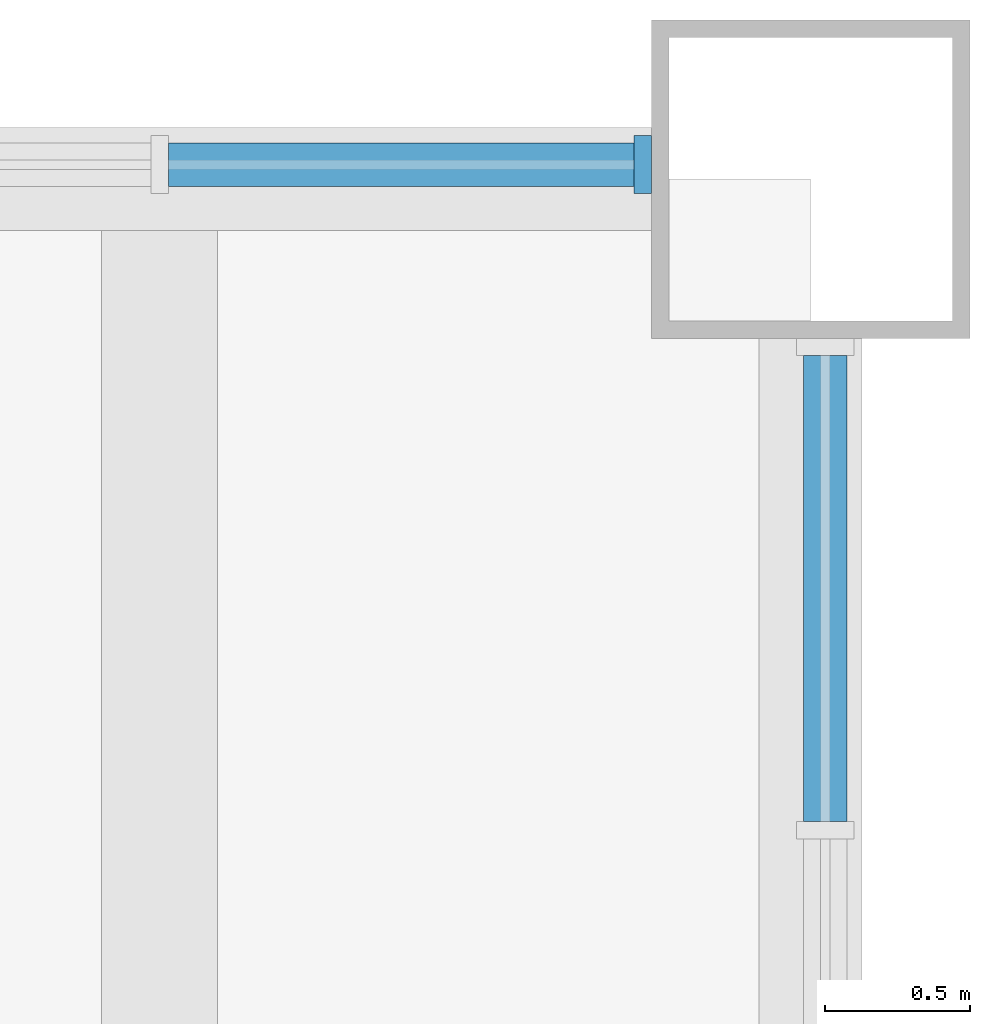
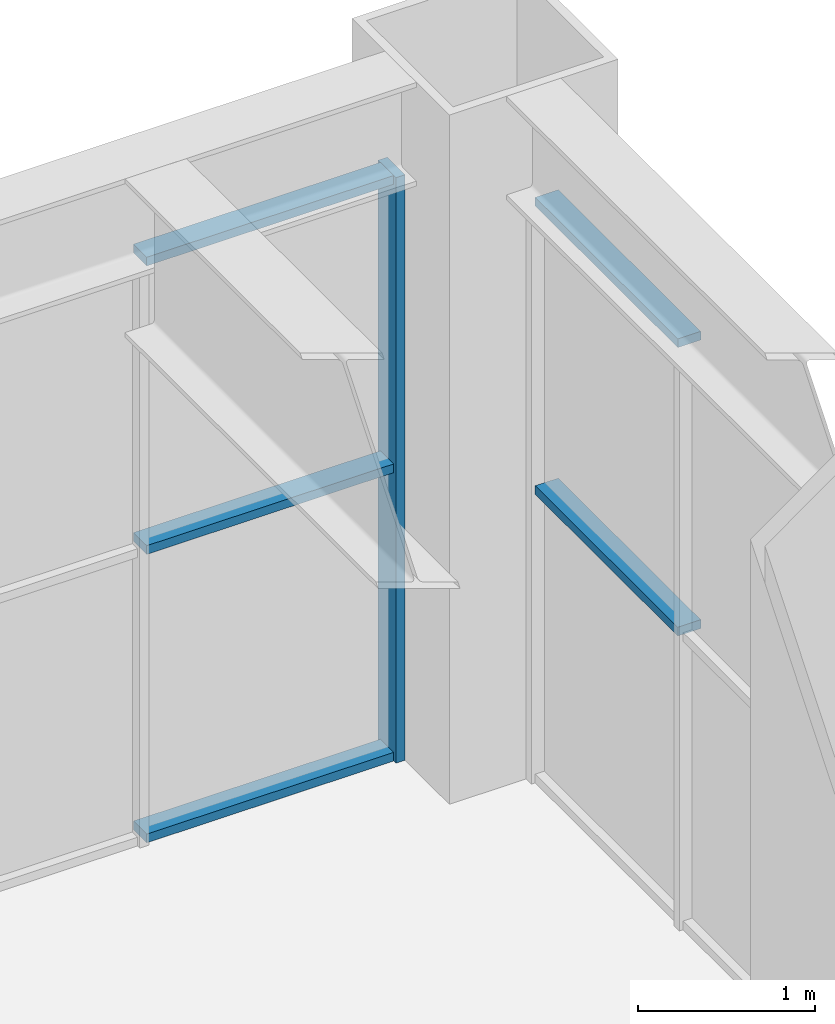
# One storey, part 6 of 19: 6 members, 2 elements without a shape of their own.
"""IFC4 building model written with IfcOpenShell, lengths in metres."""

from ifc_helpers import new_model, si_unit, direction, frame, origin, origin_2d, place, context, subcontext, project, spatial, rectangle, extrude, material, material_profile, profile_set, type_object, element, aggregate, save


model = new_model("IFC4")

# Units and contexts
model_context = context("Model", 3, precision=1e-05, world=origin(), true_north=direction((0.0, 1.0)))
body_context = subcontext(model_context, "Body", "Model", "MODEL_VIEW")
ifc_project = project(units=[si_unit("LENGTHUNIT", "METRE"), si_unit("AREAUNIT", "SQUARE_METRE"), si_unit("VOLUMEUNIT", "CUBIC_METRE"), si_unit("PLANEANGLEUNIT", "RADIAN"), si_unit("MASSUNIT", "GRAM", prefix="KILO")], contexts=[model_context])

# Site, building, storey
site_placement = place(None, origin())
site = spatial("IfcSite", under=ifc_project, at=site_placement, CompositionType="ELEMENT")
building_placement = place(site_placement, origin())
building = spatial("IfcBuilding", under=site, at=building_placement, Name="Sennacour Bend Tower", CompositionType="ELEMENT")
storey_placement = place(building_placement, frame((0.0, 0.0, 19.0)))
storey = spatial("IfcBuildingStorey", under=building, at=storey_placement, Name="L03", CompositionType="ELEMENT", Elevation=19.0)

# Curtain wall, member
ifc_material_1 = material(Name="Bronze anodised aluminium curtain wall with clear glass", Category="aluminium")
curtain_wall_type = type_object("IfcCurtainWallType", Name="CURTAIN WALL NOTCH", PredefinedType="NOTDEFINED", material=ifc_material_1)
curtain_wall_1_placement = place(storey_placement, origin())
curtain_wall_1 = element("IfcCurtainWall", 1, at=curtain_wall_1_placement, inside=storey, type_object=curtain_wall_type, Name="Podium glass wall L03", PredefinedType="NOTDEFINED")
ifc_material_2 = material(Name="Aluminium 6063-T6", Category="aluminium")
ifc_material_profile_1 = material_profile(ifc_material_2, rectangle(XDim=0.199951171875, YDim=0.06005859375, at=origin_2d()), Name="Aluminium 6063-T6", Category="aluminium")
ifc_profile_set_1 = profile_set([ifc_material_profile_1], Name="Aluminium 6063-T6")
member_type_1 = type_object("IfcMemberType", Name="CW-MULLION-200X60", PredefinedType="MULLION", material=ifc_profile_set_1)
member_1_placement = place(storey_placement, frame((66.919921875, 49.550048828125, 0.0), z_axis=(0.0, 0.0, 1.0), x_axis=(0.0, -1.0, 0.0)))
member_1 = element("IfcMember", 2, at=member_1_placement, type_object=member_type_1, Name="GW2 curtain wall mullion 1", PredefinedType="MULLION", context=body_context, shape_type="SweptSolid", body=[
    extrude(rectangle(XDim=0.199951171875, YDim=0.06005859375, at=origin_2d()), origin(), (0.0, 0.0, 1.0), 4.035888671875),
])

# Curtain wall, members
curtain_wall_2_placement = place(storey_placement, origin())
curtain_wall_2 = element("IfcCurtainWall", 3, at=curtain_wall_2_placement, inside=storey, type_object=curtain_wall_type, Name="Podium glass wall L03", PredefinedType="NOTDEFINED")
ifc_material_profile_2 = material_profile(ifc_material_2, rectangle(XDim=0.14990234375, YDim=0.06005859375, at=origin_2d()), Name="Aluminium 6063-T6", Category="aluminium")
ifc_profile_set_2 = profile_set([ifc_material_profile_2], Name="Aluminium 6063-T6")
member_type_2 = type_object("IfcMemberType", Name="CW-TRANSOM-150X60", PredefinedType="USERDEFINED", material=ifc_profile_set_2)
member_2_placement = place(storey_placement, frame((67.550048828125, 47.280029296875, 2.01806640625), z_axis=(0.0, 1.0, 0.0), x_axis=(-1.0, 0.0, 0.0)))
member_2 = element("IfcMember", 4, at=member_2_placement, type_object=member_type_2, Name="GW2 curtain wall transom 2.2", ObjectType="TRANSOM", PredefinedType="USERDEFINED", context=body_context, shape_type="SweptSolid", body=[
    extrude(rectangle(XDim=0.14990234375, YDim=0.06005859375, at=origin_2d()), origin(), (0.0, 0.0, 1.0), 1.60986328125),
])
member_3_placement = place(storey_placement, frame((67.550048828125, 47.280029296875, 4.006103515625), z_axis=(0.0, 1.0, 0.0), x_axis=(-1.0, 0.0, 0.0)))
member_3 = element("IfcMember", 5, at=member_3_placement, type_object=member_type_2, Name="GW2 curtain wall transom 2.3", ObjectType="TRANSOM", PredefinedType="USERDEFINED", context=body_context, shape_type="SweptSolid", body=[
    extrude(rectangle(XDim=0.14990234375, YDim=0.06005859375, at=origin_2d()), origin(), (0.0, 0.0, 1.0), 1.60986328125),
])
aggregate(curtain_wall_2, [member_2, member_3])

# Member
member_4_placement = place(storey_placement, frame((66.889892578125, 49.550048828125, 0.030029296875), z_axis=(-1.0, 0.0, 0.0), x_axis=(0.0, -1.0, 0.0)))
member_4 = element("IfcMember", 6, at=member_4_placement, type_object=member_type_2, Name="GW2 curtain wall transom 1.1", ObjectType="TRANSOM", PredefinedType="USERDEFINED", context=body_context, shape_type="SweptSolid", body=[
    extrude(rectangle(XDim=0.14990234375, YDim=0.06005859375, at=origin_2d()), origin(), (0.0, 0.0, 1.0), 1.60986328125),
])

member_5_placement = place(storey_placement, frame((66.889892578125, 49.550048828125, 2.01806640625), z_axis=(-1.0, 0.0, 0.0), x_axis=(0.0, -1.0, 0.0)))
member_5 = element("IfcMember", 7, at=member_5_placement, type_object=member_type_2, Name="GW2 curtain wall transom 1.2", ObjectType="TRANSOM", PredefinedType="USERDEFINED", context=body_context, shape_type="SweptSolid", body=[
    extrude(rectangle(XDim=0.14990234375, YDim=0.06005859375, at=origin_2d()), origin(), (0.0, 0.0, 1.0), 1.60986328125),
])

member_6_placement = place(storey_placement, frame((66.889892578125, 49.550048828125, 4.006103515625), z_axis=(-1.0, 0.0, 0.0), x_axis=(0.0, -1.0, 0.0)))
member_6 = element("IfcMember", 8, at=member_6_placement, type_object=member_type_2, Name="GW2 curtain wall transom 1.3", ObjectType="TRANSOM", PredefinedType="USERDEFINED", context=body_context, shape_type="SweptSolid", body=[
    extrude(rectangle(XDim=0.14990234375, YDim=0.06005859375, at=origin_2d()), origin(), (0.0, 0.0, 1.0), 1.60986328125),
])

aggregate(curtain_wall_1, [member_1, member_4, member_5, member_6])

save(model, "model.ifc")
